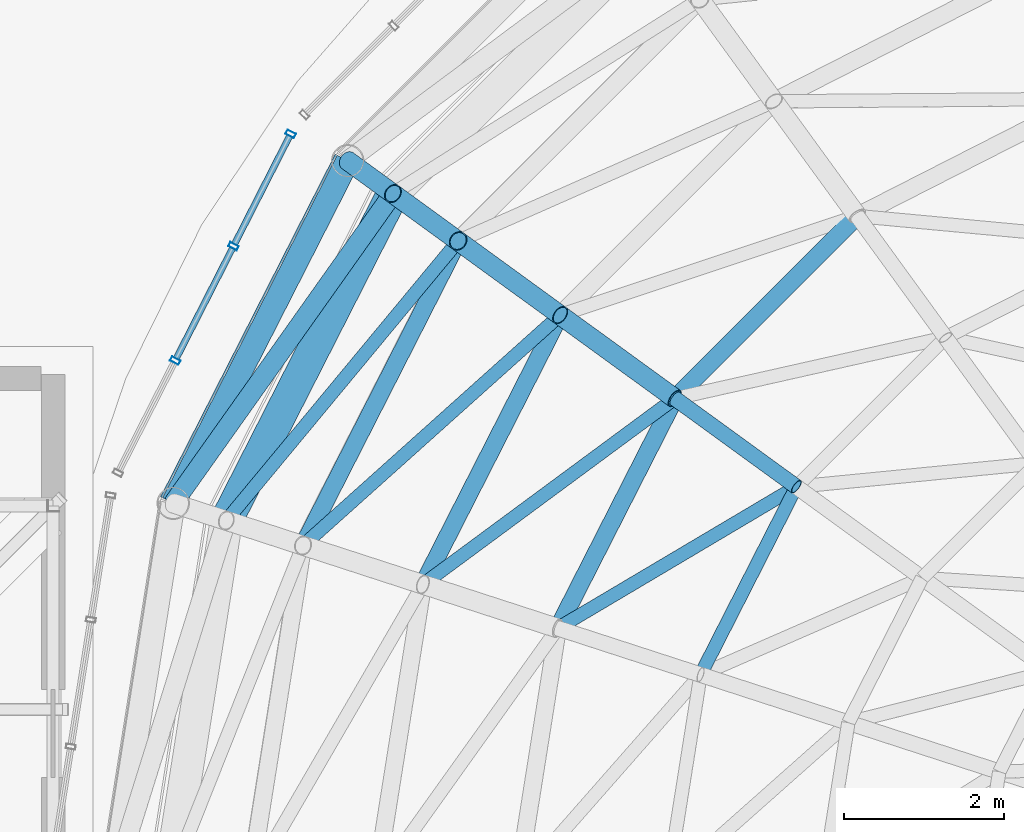
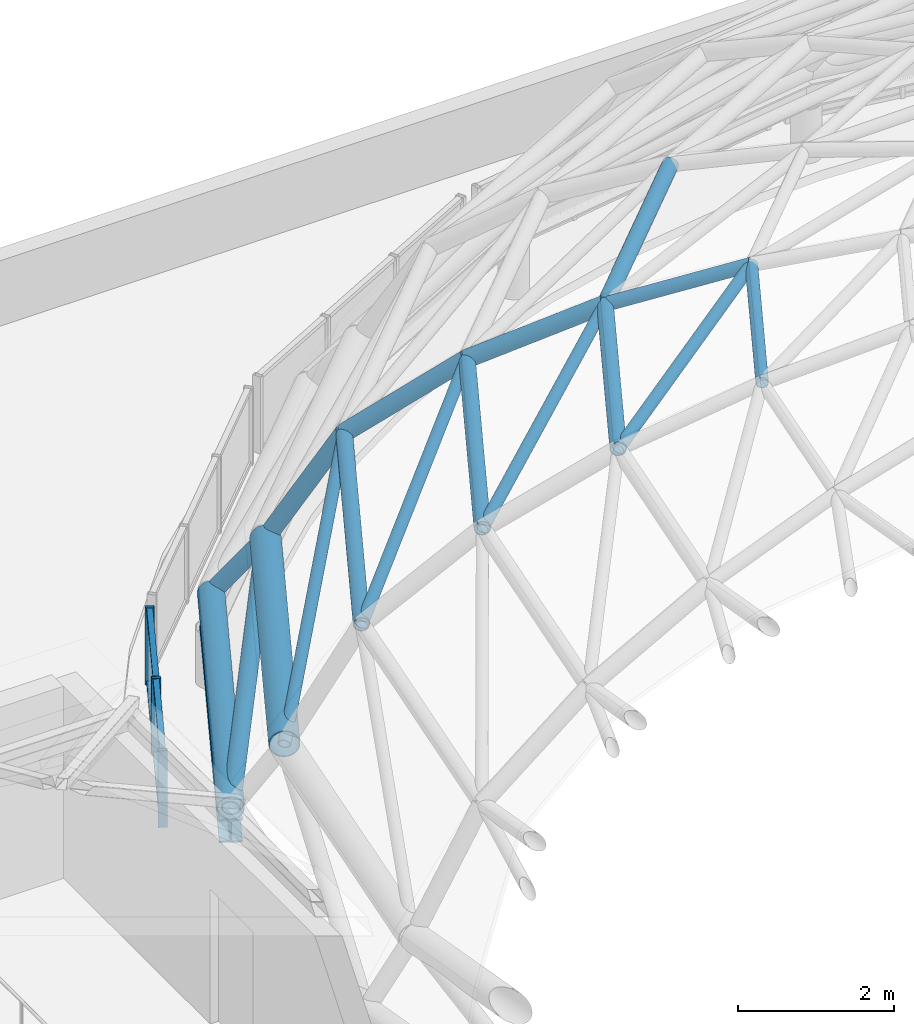
# One storey, part 24 of 69: 24 members, 1 beam, 1 element without a shape of its own.
"""IFC4 building model written with IfcOpenShell, lengths in metres."""

from ifc_helpers import new_model, si_unit, direction, frame, origin, origin_2d, place, context, subcontext, project, spatial, hollow_rectangle, hollow_circle, i_section, extrude, material, layer, layer_set, material_profile, profile_set, type_object, element, aggregate, save


model = new_model("IFC4")

# Units and contexts
model_context = context("Model", 3, precision=1e-05, world=origin(), true_north=direction((0.0, 1.0)))
body_context = subcontext(model_context, "Body", "Model", "MODEL_VIEW")
ifc_project = project(units=[si_unit("LENGTHUNIT", "METRE"), si_unit("AREAUNIT", "SQUARE_METRE"), si_unit("VOLUMEUNIT", "CUBIC_METRE"), si_unit("PLANEANGLEUNIT", "RADIAN"), si_unit("MASSUNIT", "GRAM", prefix="KILO")], contexts=[model_context])

# Site, building, storey
site_placement = place(None, origin())
site = spatial("IfcSite", under=ifc_project, at=site_placement, CompositionType="ELEMENT")
building_placement = place(site_placement, origin())
building = spatial("IfcBuilding", under=site, at=building_placement, Name="Kallimachos Central Library", CompositionType="ELEMENT")
storey_placement = place(building_placement, frame((0.0, 0.0, 23.39990234375)))
storey = spatial("IfcBuildingStorey", under=building, at=storey_placement, Name="L05", CompositionType="ELEMENT", Elevation=23.39990234375)

# Members
ifc_material_1 = material(Name="Steel S355J2H", Category="steel")
ifc_material_profile_1 = material_profile(ifc_material_1, hollow_circle(Radius=0.084228515625, WallThickness=0.008056640625, at=origin_2d()), Name="CHS 168.3x8")
ifc_profile_set_1 = profile_set([ifc_material_profile_1], Name="Steel S355J2H")
member_type_1 = type_object("IfcMemberType", Name="CHS 168.3x8 dome diagonal", PredefinedType="BRACE", material=ifc_profile_set_1)
member_1_placement = place(storey_placement, frame((81.16357421875, 109.366943359375, 7.008544921875), z_axis=(-0.840227957986, -0.498415898663, -0.213538218076), x_axis=(0.510183426883, -0.860065620133, 0.0)))
element("IfcMember", 1, at=member_1_placement, inside=storey, type_object=member_type_1, Name="Dome diagonal DD-3-08", PredefinedType="BRACE", context=body_context, shape_type="SweptSolid", body=[
    extrude(hollow_circle(Radius=0.084228515625, WallThickness=0.008056640625, at=origin_2d()), origin(), (0.0, 0.0, 1.0), 3.55908203125),
])
member_2_placement = place(storey_placement, frame((79.640869140625, 110.473388671875, 6.24853515625), z_axis=(-0.780478068504, -0.576321468662, -0.242296408029), x_axis=(0.594021973215, -0.804448814617, 0.0)))
element("IfcMember", 2, at=member_2_placement, inside=storey, type_object=member_type_1, Name="Dome diagonal DD-4-08", PredefinedType="BRACE", context=body_context, shape_type="SweptSolid", body=[
    extrude(hollow_circle(Radius=0.084228515625, WallThickness=0.008056640625, at=origin_2d()), origin(), (0.0, 0.0, 1.0), 4.045654296875),
])
member_3_placement = place(storey_placement, frame((78.203369140625, 111.517578125, 5.268310546875), z_axis=(-0.714654605031, -0.640319698007, -0.281530601982), x_axis=(0.66731092353, -0.744779250072, 0.0)))
element("IfcMember", 3, at=member_3_placement, inside=storey, type_object=member_type_1, Name="Dome diagonal DD-5-08", PredefinedType="BRACE", context=body_context, shape_type="SweptSolid", body=[
    extrude(hollow_circle(Radius=0.084228515625, WallThickness=0.008056640625, at=origin_2d()), origin(), (0.0, 0.0, 1.0), 4.50927734375),
])
member_4_placement = place(storey_placement, frame((76.92529296875, 112.4462890625, 3.998779296875), z_axis=(-0.597120787496, -0.719986592283, -0.353646818271), x_axis=(0.769727105213, -0.638373075482, 0.0)))
element("IfcMember", 4, at=member_4_placement, inside=storey, type_object=member_type_1, Name="Dome diagonal DD-6-08", PredefinedType="BRACE", context=body_context, shape_type="SweptSolid", body=[
    extrude(hollow_circle(Radius=0.084228515625, WallThickness=0.008056640625, at=origin_2d()), origin(), (0.0, 0.0, 1.0), 4.8662109375),
])
ifc_material_2 = material(Name="Steel S355J2H", Category="steel")
ifc_material_profile_2 = material_profile(ifc_material_2, hollow_circle(Radius=0.084228515625, WallThickness=0.008056640625, at=origin_2d()), Name="CHS 168.3x8")
ifc_profile_set_2 = profile_set([ifc_material_profile_2], Name="Steel S355J2H")
member_type_2 = type_object("IfcMemberType", Name="CHS 168.3x8 dome ring", PredefinedType="PURLIN", material=ifc_profile_set_2)
member_5_placement = place(storey_placement, frame((81.16357421875, 109.366943359375, 7.008544921875), z_axis=(-0.453960364192, -0.891021878375, 0.0), x_axis=(0.891021878375, -0.453960364192, 0.0)))
element("IfcMember", 5, at=member_5_placement, inside=storey, type_object=member_type_2, Name="Dome ring DN-3-08", PredefinedType="PURLIN", context=body_context, shape_type="SweptSolid", body=[
    extrude(hollow_circle(Radius=0.084228515625, WallThickness=0.008056640625, at=origin_2d()), origin(), (0.0, 0.0, 1.0), 2.643798828125),
])
ifc_material_3 = material(Name="Steel S355J2H", Category="steel")
ifc_material_profile_3 = material_profile(ifc_material_3, hollow_circle(Radius=0.096923828125, WallThickness=0.010009765625, at=origin_2d()), Name="CHS 193.7x10")
ifc_profile_set_3 = profile_set([ifc_material_profile_3], Name="Steel S355J2H")
member_type_3 = type_object("IfcMemberType", Name="CHS 193.7x10 dome rib", PredefinedType="RAFTER", material=ifc_profile_set_3)
member_6_placement = place(storey_placement, frame((81.16357421875, 109.366943359375, 7.008544921875), z_axis=(-0.750140450546, 0.545075600749, -0.374408725757), x_axis=(-0.587832304237, -0.808982807045, 0.0)))
element("IfcMember", 6, at=member_6_placement, inside=storey, type_object=member_type_3, Name="Dome rib DR-3-08", PredefinedType="RAFTER", context=body_context, shape_type="SweptSolid", body=[
    extrude(hollow_circle(Radius=0.096923828125, WallThickness=0.010009765625, at=origin_2d()), origin(), (0.0, 0.0, 1.0), 2.02978515625),
])
ifc_material_4 = material(Name="Steel S355J2H", Category="steel")
ifc_material_profile_4 = material_profile(ifc_material_4, hollow_circle(Radius=0.109619140625, WallThickness=0.012451171875, at=origin_2d()), Name="CHS 219.1x12.5")
ifc_profile_set_4 = profile_set([ifc_material_profile_4], Name="Steel S355J2H")
member_type_4 = type_object("IfcMemberType", Name="CHS 219.1x12.5 dome ring", PredefinedType="PURLIN", material=ifc_profile_set_4)
for number, where, z_axis, x_axis, name in (
    (7, (81.9267578125, 112.75927734375, 6.24853515625), (-0.707106781187, -0.707106781187, 0.0), (0.707106781187, -0.707106781187, 0.0), "Dome ring DN-4-07"),
    (8, (79.640869140625, 110.473388671875, 6.24853515625), (-0.454027596284, -0.890987621582, 0.0), (0.890987621582, -0.454027596284, 0.0), "Dome ring DN-4-08"),
):
    element("IfcMember", number, at=place(storey_placement, frame(where, z_axis=z_axis, x_axis=x_axis)), inside=storey, type_object=member_type_4, Name=name, PredefinedType="PURLIN", context=body_context, shape_type="SweptSolid", body=[
        extrude(hollow_circle(Radius=0.109619140625, WallThickness=0.012451171875, at=origin_2d()), origin(), (0.0, 0.0, 1.0), 3.232666015625),
    ])
member_7_placement = place(storey_placement, frame((78.203369140625, 111.517578125, 5.268310546875), z_axis=(-0.45397983879, -0.891011956133, 0.0), x_axis=(0.891011956133, -0.45397983879, 0.0)))
element("IfcMember", 9, at=member_7_placement, inside=storey, type_object=member_type_4, Name="Dome ring DN-5-08", PredefinedType="PURLIN", context=body_context, shape_type="SweptSolid", body=[
    extrude(hollow_circle(Radius=0.109619140625, WallThickness=0.012451171875, at=origin_2d()), origin(), (0.0, 0.0, 1.0), 3.78857421875),
])
member_8_placement = place(storey_placement, frame((76.92529296875, 112.4462890625, 3.998779296875), z_axis=(-0.454017999831, -0.890992511658, 0.0), x_axis=(0.890992511658, -0.454017999831, 0.0)))
element("IfcMember", 10, at=member_8_placement, inside=storey, type_object=member_type_4, Name="Dome ring DN-6-08", PredefinedType="PURLIN", context=body_context, shape_type="SweptSolid", body=[
    extrude(hollow_circle(Radius=0.109619140625, WallThickness=0.012451171875, at=origin_2d()), origin(), (0.0, 0.0, 1.0), 4.282958984375),
])
ifc_material_5 = material(Name="Steel S355J2H", Category="steel")
ifc_material_profile_5 = material_profile(ifc_material_5, hollow_circle(Radius=0.122314453125, WallThickness=0.012451171875, at=origin_2d()), Name="CHS 244.5x12.5")
ifc_profile_set_5 = profile_set([ifc_material_profile_5], Name="Steel S355J2H")
member_type_5 = type_object("IfcMemberType", Name="CHS 244.5x12.5 dome diagonal", PredefinedType="BRACE", material=ifc_profile_set_5)
member_9_placement = place(storey_placement, frame((76.107421875, 113.04052734375, 2.27783203125), z_axis=(-0.568530455078, -0.80140665886, -0.185796901979), x_axis=(0.815607884952, -0.578605027635, 0.0)))
element("IfcMember", 11, at=member_9_placement, inside=storey, type_object=member_type_5, Name="Dome diagonal DD-7-08", PredefinedType="BRACE", context=body_context, shape_type="SweptSolid", body=[
    extrude(hollow_circle(Radius=0.122314453125, WallThickness=0.012451171875, at=origin_2d()), origin(), (0.0, 0.0, 1.0), 4.843505859375),
])
ifc_material_6 = material(Name="Steel S355J2H", Category="steel")
ifc_material_profile_6 = material_profile(ifc_material_6, hollow_circle(Radius=0.122314453125, WallThickness=0.012451171875, at=origin_2d()), Name="CHS 244.5x12.5")
ifc_profile_set_6 = profile_set([ifc_material_profile_6], Name="Steel S355J2H")
member_type_6 = type_object("IfcMemberType", Name="CHS 244.5x12.5 dome rib", PredefinedType="RAFTER", material=ifc_profile_set_6)
member_10_placement = place(storey_placement, frame((79.640869140625, 110.473388671875, 6.24853515625), z_axis=(-0.708413661964, 0.51458648645, -0.48306400353), x_axis=(-0.587705889038, -0.809074649207, 0.0)))
element("IfcMember", 12, at=member_10_placement, inside=storey, type_object=member_type_6, Name="Dome rib DR-4-08", PredefinedType="RAFTER", context=body_context, shape_type="SweptSolid", body=[
    extrude(hollow_circle(Radius=0.122314453125, WallThickness=0.012451171875, at=origin_2d()), origin(), (0.0, 0.0, 1.0), 2.029296875),
])
member_11_placement = place(storey_placement, frame((78.203369140625, 111.517578125, 5.268310546875), z_axis=(-0.630605546142, 0.458227984245, -0.626389463217), x_axis=(-0.587840865826, -0.808976585857, 0.0)))
element("IfcMember", 13, at=member_11_placement, inside=storey, type_object=member_type_6, Name="Dome rib DR-5-08", PredefinedType="RAFTER", context=body_context, shape_type="SweptSolid", body=[
    extrude(hollow_circle(Radius=0.122314453125, WallThickness=0.012451171875, at=origin_2d()), origin(), (0.0, 0.0, 1.0), 2.02685546875),
])
member_12_placement = place(storey_placement, frame((76.92529296875, 112.4462890625, 3.998779296875), z_axis=(-0.409771732422, 0.297726685587, -0.862233116968), x_axis=(-0.587798297127, -0.809007516588, 0.0)))
element("IfcMember", 14, at=member_12_placement, inside=storey, type_object=member_type_6, Name="Dome rib DR-6-08", PredefinedType="RAFTER", context=body_context, shape_type="SweptSolid", body=[
    extrude(hollow_circle(Radius=0.122314453125, WallThickness=0.012451171875, at=origin_2d()), origin(), (0.0, 0.0, 1.0), 1.995849609375),
])
member_13_placement = place(storey_placement, frame((76.107421875, 113.04052734375, 2.27783203125), z_axis=(-0.496634430506, 0.360857703925, -0.789389612266), x_axis=(-0.587819016355, -0.808992462271, 0.0)))
element("IfcMember", 15, at=member_13_placement, inside=storey, type_object=member_type_6, Name="Dome rib DR-7-08", PredefinedType="RAFTER", context=body_context, shape_type="SweptSolid", body=[
    extrude(hollow_circle(Radius=0.122314453125, WallThickness=0.012451171875, at=origin_2d()), origin(), (0.0, 0.0, 1.0), 1.139892578125),
])
ifc_material_7 = material(Name="Steel S355J2H", Category="steel")
ifc_material_profile_7 = material_profile(ifc_material_7, hollow_circle(Radius=0.177734375, WallThickness=0.008056640625, at=origin_2d()), Name="CHS 355.6x8")
ifc_profile_set_7 = profile_set([ifc_material_profile_7], Name="Steel S355J2H")
member_type_7 = type_object("IfcMemberType", Name="CHS 355.6x8 dome ring", PredefinedType="PURLIN", material=ifc_profile_set_7)
member_14_placement = place(storey_placement, frame((75.541259765625, 113.451904296875, 1.3779296875), z_axis=(-0.454010794093, -0.890996183408, 0.0), x_axis=(0.890996183408, -0.454010794093, 0.0)))
element("IfcMember", 16, at=member_14_placement, inside=storey, type_object=member_type_7, Name="Dome ring DN-8-08", PredefinedType="PURLIN", context=body_context, shape_type="SweptSolid", body=[
    extrude(hollow_circle(Radius=0.177734375, WallThickness=0.008056640625, at=origin_2d()), origin(), (0.0, 0.0, 1.0), 4.818115234375),
])
ifc_material_8 = material(Name="Steel S355J2H", Category="steel")
ifc_material_profile_8 = material_profile(ifc_material_8, hollow_circle(Radius=0.203125, WallThickness=0.012451171875, at=origin_2d()), Name="CHS 406.4x12.5")
ifc_profile_set_8 = profile_set([ifc_material_profile_8], Name="Steel S355J2H")
member_type_8 = type_object("IfcMemberType", Name="CHS 406.4x12.5 dome ring", PredefinedType="PURLIN", material=ifc_profile_set_8)
member_15_placement = place(storey_placement, frame((76.107421875, 113.04052734375, 2.27783203125), z_axis=(-0.453974288531, -0.891014784026, 0.0), x_axis=(0.891014784026, -0.453974288531, 0.0)))
element("IfcMember", 17, at=member_15_placement, inside=storey, type_object=member_type_8, Name="Dome ring DN-7-08", PredefinedType="PURLIN", context=body_context, shape_type="SweptSolid", body=[
    extrude(hollow_circle(Radius=0.203125, WallThickness=0.012451171875, at=origin_2d()), origin(), (0.0, 0.0, 1.0), 4.59912109375),
])

# Curtain wall, members
ifc_material_9 = material(Name="Anodised aluminium and laminated glass", Category="aluminium")
ifc_layer = layer(ifc_material_9, 0.159912109375)
ifc_layer_set = layer_set([ifc_layer], Name="Glass box curtain wall")
curtain_wall_type = type_object("IfcCurtainWallType", Name="Glass box curtain wall", PredefinedType="NOTDEFINED", material=ifc_layer_set)
curtain_wall_placement = place(storey_placement, origin())
curtain_wall = element("IfcCurtainWall", 18, at=curtain_wall_placement, inside=storey, type_object=curtain_wall_type, Name="Drum clerestory facet 9", PredefinedType="NOTDEFINED")
ifc_material_10 = material(Name="Anodised aluminium", Category="aluminium")
ifc_material_profile_9 = material_profile(ifc_material_10, hollow_rectangle(XDim=0.06005859375, YDim=0.1201171875, WallThickness=0.00390625, at=origin_2d()), Name="ALU MULLION 60x120")
ifc_profile_set_9 = profile_set([ifc_material_profile_9], Name="Anodised aluminium")
member_type_9 = type_object("IfcMemberType", Name="Glass box mullion 60x120", PredefinedType="MULLION", material=ifc_profile_set_9)
member_16_placement = place(storey_placement, frame((74.826171875, 113.7880859375, 0.0), z_axis=(0.0, 0.0, 1.0), x_axis=(-0.453990803653, -0.891006369337, 0.0)))
member_16 = element("IfcMember", 19, at=member_16_placement, type_object=member_type_9, Name="CW43 mullion 1", PredefinedType="MULLION", context=body_context, shape_type="SweptSolid", body=[
    extrude(hollow_rectangle(XDim=0.06005859375, YDim=0.1201171875, WallThickness=0.00390625, at=origin_2d()), origin(), (0.0, 0.0, 1.0), 1.2001953125),
])
member_17_placement = place(storey_placement, frame((74.109130859375, 112.380859375, 0.0), z_axis=(0.0, 0.0, 1.0), x_axis=(-0.453990803653, -0.891006369337, 0.0)))
member_17 = element("IfcMember", 20, at=member_17_placement, type_object=member_type_9, Name="CW43 mullion 2", PredefinedType="MULLION", context=body_context, shape_type="SweptSolid", body=[
    extrude(hollow_rectangle(XDim=0.06005859375, YDim=0.1201171875, WallThickness=0.00390625, at=origin_2d()), origin(), (0.0, 0.0, 1.0), 1.2001953125),
])
member_18_placement = place(storey_placement, frame((73.378662109375, 110.94677734375, 0.0), z_axis=(0.0, 0.0, 1.0), x_axis=(-0.453990803653, -0.891006369337, 0.0)))
member_18 = element("IfcMember", 21, at=member_18_placement, type_object=member_type_9, Name="CW43 mullion 3", PredefinedType="MULLION", context=body_context, shape_type="SweptSolid", body=[
    extrude(hollow_rectangle(XDim=0.06005859375, YDim=0.1201171875, WallThickness=0.00390625, at=origin_2d()), origin(), (0.0, 0.0, 1.0), 1.2001953125),
])
ifc_material_11 = material(Name="Anodised aluminium", Category="aluminium")
ifc_material_profile_10 = material_profile(ifc_material_11, hollow_rectangle(XDim=0.06005859375, YDim=0.080078125, WallThickness=0.00390625, at=origin_2d()), Name="ALU TRANSOM 60x80")
ifc_profile_set_10 = profile_set([ifc_material_profile_10], Name="Anodised aluminium")
member_type_10 = type_object("IfcMemberType", Name="Glass box transom 60x80", PredefinedType="USERDEFINED", material=ifc_profile_set_10)
member_19_placement = place(storey_placement, frame((74.812744140625, 113.761474609375, 0.030029296875), z_axis=(-0.454012418809, -0.890995355525, 0.0), x_axis=(0.0, 0.0, 1.0)))
member_19 = element("IfcMember", 22, at=member_19_placement, type_object=member_type_10, Name="CW43 transom 1.1", ObjectType="TRANSOM", PredefinedType="USERDEFINED", context=body_context, shape_type="SweptSolid", body=[
    extrude(hollow_rectangle(XDim=0.06005859375, YDim=0.080078125, WallThickness=0.00390625, at=origin_2d()), origin(), (0.0, 0.0, 1.0), 1.51953125),
])
member_20_placement = place(storey_placement, frame((74.812744140625, 113.761474609375, 1.170166015625), z_axis=(-0.454012418809, -0.890995355525, 0.0), x_axis=(0.0, 0.0, 1.0)))
member_20 = element("IfcMember", 23, at=member_20_placement, type_object=member_type_10, Name="CW43 transom 1.2", ObjectType="TRANSOM", PredefinedType="USERDEFINED", context=body_context, shape_type="SweptSolid", body=[
    extrude(hollow_rectangle(XDim=0.06005859375, YDim=0.080078125, WallThickness=0.00390625, at=origin_2d()), origin(), (0.0, 0.0, 1.0), 1.51953125),
])
member_21_placement = place(storey_placement, frame((74.095703125, 112.35400390625, 0.030029296875), z_axis=(-0.454133494803, -0.89093365011, 0.0), x_axis=(0.0, 0.0, 1.0)))
member_21 = element("IfcMember", 24, at=member_21_placement, type_object=member_type_10, Name="CW43 transom 2.1", ObjectType="TRANSOM", PredefinedType="USERDEFINED", context=body_context, shape_type="SweptSolid", body=[
    extrude(hollow_rectangle(XDim=0.06005859375, YDim=0.080078125, WallThickness=0.00390625, at=origin_2d()), origin(), (0.0, 0.0, 1.0), 1.54931640625),
])
member_22_placement = place(storey_placement, frame((74.095703125, 112.35400390625, 1.170166015625), z_axis=(-0.454133494803, -0.89093365011, 0.0), x_axis=(0.0, 0.0, 1.0)))
member_22 = element("IfcMember", 25, at=member_22_placement, type_object=member_type_10, Name="CW43 transom 2.2", ObjectType="TRANSOM", PredefinedType="USERDEFINED", context=body_context, shape_type="SweptSolid", body=[
    extrude(hollow_rectangle(XDim=0.06005859375, YDim=0.080078125, WallThickness=0.00390625, at=origin_2d()), origin(), (0.0, 0.0, 1.0), 1.54931640625),
])
aggregate(curtain_wall, [member_16, member_17, member_18, member_19, member_20, member_21, member_22])

# Beam
ifc_material_12 = material(Name="Steel S355J2", Category="steel")
ifc_material_profile_11 = material_profile(ifc_material_12, i_section(OverallWidth=0.300048828125, OverallDepth=0.360107421875, WebThickness=0.012451171875, FlangeThickness=0.0224609375, FilletRadius=0.027099609375, at=origin_2d()), Name="HEB 360")
ifc_profile_set_11 = profile_set([ifc_material_profile_11], Name="Steel S355J2")
beam_type = type_object("IfcBeamType", Name="HEB 360 beam", PredefinedType="BEAM", material=ifc_profile_set_11)
beam_placement = place(storey_placement, frame((75.541015625, 113.451904296875, 1.02001953125), z_axis=(-0.453970566426, -0.891016680438, 0.0), x_axis=(0.891016680438, -0.453970566426, 0.0)))
element("IfcBeam", 26, at=beam_placement, inside=storey, type_object=beam_type, Name="V1-BEM-L05-009", PredefinedType="BEAM", context=body_context, shape_type="SweptSolid", body=[
    extrude(i_section(OverallWidth=0.300048828125, OverallDepth=0.360107421875, WebThickness=0.012451171875, FlangeThickness=0.0224609375, FilletRadius=0.027099609375, at=origin_2d()), origin(), (0.0, 0.0, 1.0), 4.818115234375),
])

save(model, "model.ifc")
